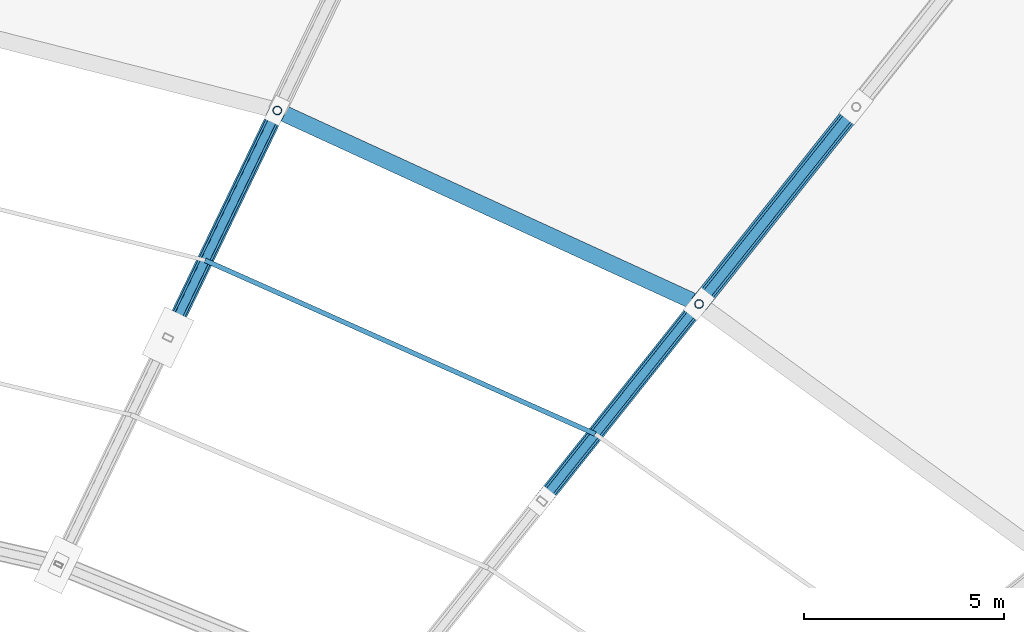
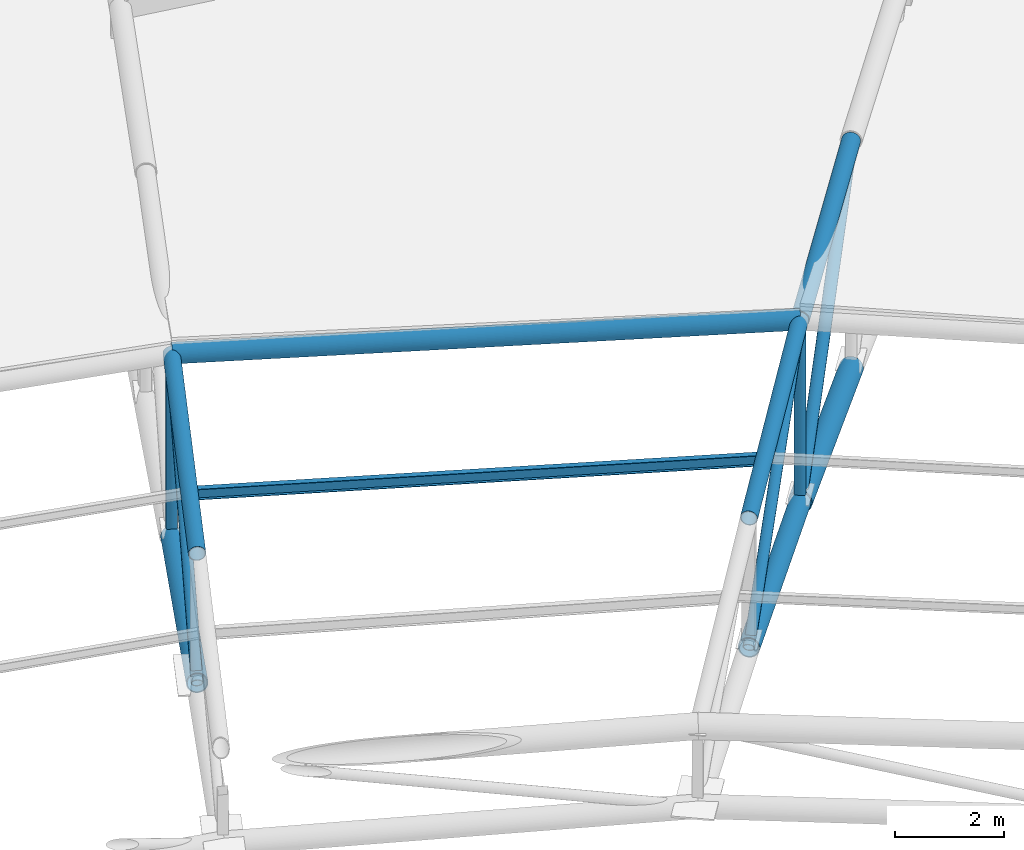
# One storey, part 54 of 108: 13 members.
"""IFC4 building model written with IfcOpenShell, lengths in metres."""

from ifc_helpers import new_model, si_unit, direction, frame, origin, origin_2d, place, context, subcontext, project, spatial, hollow_circle, i_section, extrude, material, material_profile, profile_set, type_object, element, save


model = new_model("IFC4")

# Units and contexts
model_context = context("Model", 3, precision=1e-05, world=origin(), true_north=direction((0.0, 1.0)))
body_context = subcontext(model_context, "Body", "Model", "MODEL_VIEW")
ifc_project = project(units=[si_unit("LENGTHUNIT", "METRE"), si_unit("AREAUNIT", "SQUARE_METRE"), si_unit("VOLUMEUNIT", "CUBIC_METRE"), si_unit("PLANEANGLEUNIT", "RADIAN"), si_unit("MASSUNIT", "GRAM", prefix="KILO")], contexts=[model_context])

# Site, building, storey
site_placement = place(None, origin())
site = spatial("IfcSite", under=ifc_project, at=site_placement, CompositionType="ELEMENT")
building_placement = place(site_placement, origin())
building = spatial("IfcBuilding", under=site, at=building_placement, Name="Zevraka Park Crest Stadium", CompositionType="ELEMENT")
storey_placement = place(building_placement, frame((0.0, 0.0, 29.39990234375)))
storey = spatial("IfcBuildingStorey", under=building, at=storey_placement, Name="RF", CompositionType="ELEMENT", Elevation=29.39990234375)

# Members
ifc_material_1 = material(Name="Steel S355", Category="steel")
ifc_material_profile_1 = material_profile(ifc_material_1, i_section(OverallWidth=0.1201171875, OverallDepth=0.239990234375, WebThickness=0.006103515625, FlangeThickness=0.009765625, at=origin_2d()), Name="IPE 240")
ifc_profile_set_1 = profile_set([ifc_material_profile_1], Name="Steel S355")
member_type_1 = type_object("IfcMemberType", Name="PR01", PredefinedType="PURLIN", material=ifc_profile_set_1)
member_1_placement = place(storey_placement, frame((144.073974609375, 120.490966796875, 9.153076171875), z_axis=(-0.913569046429, 0.406683657658, 0.0), x_axis=(-0.406683657658, -0.913569046429, 0.0)))
element("IfcMember", 1, at=member_1_placement, inside=storey, type_object=member_type_1, Name="Canopy Roof Purlin PR01 INNER-05-1", PredefinedType="PURLIN", context=body_context, shape_type="SweptSolid", body=[
    extrude(i_section(OverallWidth=0.1201171875, OverallDepth=0.239990234375, WebThickness=0.006103515625, FlangeThickness=0.009765625, at=origin_2d()), origin(), (0.0, 0.0, 1.0), 10.6767578125),
])
ifc_material_2 = material(Name="Steel S355", Category="steel")
ifc_material_profile_2 = material_profile(ifc_material_2, hollow_circle(Radius=0.228515625, WallThickness=0.02490234375, at=origin_2d()), Name="CHS 457.0x25")
ifc_profile_set_2 = profile_set([ifc_material_profile_2], Name="Steel S355")
member_type_2 = type_object("IfcMemberType", Name="TC02", PredefinedType="CHORD", material=ifc_profile_set_2)
member_2_placement = place(storey_placement, frame((150.593994140625, 128.66796875, 3.9501953125), z_axis=(-0.609616801218, -0.764512287785, 0.209495387776), x_axis=(0.781862092926, -0.623451415626, 0.0)))
element("IfcMember", 2, at=member_2_placement, inside=storey, type_object=member_type_2, Name="Roof Truss Bottom Chord TC02 T05-5", PredefinedType="CHORD", context=body_context, shape_type="SweptSolid", body=[
    extrude(hollow_circle(Radius=0.228515625, WallThickness=0.02490234375, at=origin_2d()), origin(), (0.0, 0.0, 1.0), 6.443359375),
])
ifc_material_3 = material(Name="Steel S355", Category="steel")
ifc_material_profile_3 = material_profile(ifc_material_3, hollow_circle(Radius=0.203125, WallThickness=0.02001953125, at=origin_2d()), Name="CHS 406.4x20")
ifc_profile_set_3 = profile_set([ifc_material_profile_3], Name="Steel S355")
member_type_3 = type_object("IfcMemberType", Name="TC03", PredefinedType="CHORD", material=ifc_profile_set_3)
member_3_placement = place(storey_placement, frame((146.666015625, 123.741943359375, 5.300048828125), z_axis=(-0.614231681473, -0.770147038993, 0.172026102102), x_axis=(0.781801834506, -0.623526977414, 0.0)))
element("IfcMember", 3, at=member_3_placement, inside=storey, type_object=member_type_3, Name="Roof Truss Bottom Chord TC03 T05-6", PredefinedType="CHORD", context=body_context, shape_type="SweptSolid", body=[
    extrude(hollow_circle(Radius=0.203125, WallThickness=0.02001953125, at=origin_2d()), origin(), (0.0, 0.0, 1.0), 6.39501953125),
])
member_4_placement = place(storey_placement, frame((136.1240234375, 128.5791015625, 5.300048828125), z_axis=(-0.427505766927, -0.887497238618, 0.172010088916), x_axis=(0.900925361812, -0.43397406886, 0.0)))
element("IfcMember", 4, at=member_4_placement, inside=storey, type_object=member_type_3, Name="Roof Truss Bottom Chord TC03 T06-6", PredefinedType="CHORD", context=body_context, shape_type="SweptSolid", body=[
    extrude(hollow_circle(Radius=0.203125, WallThickness=0.02001953125, at=origin_2d()), origin(), (0.0, 0.0, 1.0), 6.3955078125),
])
member_5_placement = place(storey_placement, frame((146.666015625, 123.741943359375, 9.400146484375), z_axis=(-0.908888015597, 0.417040255976, 0.0), x_axis=(-0.417040255976, -0.908888015597, 0.0)))
element("IfcMember", 5, at=member_5_placement, inside=storey, type_object=member_type_3, Name="Roof Canopy Arch Crown Ring Chord TC03 05", PredefinedType="CHORD", context=body_context, shape_type="SweptSolid", body=[
    extrude(hollow_circle(Radius=0.203125, WallThickness=0.02001953125, at=origin_2d()), origin(), (0.0, 0.0, 1.0), 11.598876953125),
])
ifc_material_4 = material(Name="Steel S355", Category="steel")
ifc_material_profile_4 = material_profile(ifc_material_4, hollow_circle(Radius=0.161865234375, WallThickness=0.01611328125, at=origin_2d()), Name="CHS 323.9x16")
ifc_profile_set_4 = profile_set([ifc_material_profile_4], Name="Steel S355")
member_type_4 = type_object("IfcMemberType", Name="TC04", PredefinedType="CHORD", material=ifc_profile_set_4)
member_6_placement = place(storey_placement, frame((146.666015625, 123.741943359375, 9.400146484375), z_axis=(-0.623448279516, -0.781703160089, -0.015887488011), x_axis=(0.781801834506, -0.623526977414, 0.0)))
element("IfcMember", 6, at=member_6_placement, inside=storey, type_object=member_type_4, Name="Roof Truss Top Chord TC04 T05-6", PredefinedType="CHORD", context=body_context, shape_type="SweptSolid", body=[
    extrude(hollow_circle(Radius=0.161865234375, WallThickness=0.01611328125, at=origin_2d()), origin(), (0.0, 0.0, 1.0), 6.30029296875),
])
member_7_placement = place(storey_placement, frame((136.1240234375, 128.5791015625, 9.400146484375), z_axis=(-0.433919305719, -0.900811674136, -0.015885964403), x_axis=(0.900925361812, -0.43397406886, 0.0)))
element("IfcMember", 7, at=member_7_placement, inside=storey, type_object=member_type_4, Name="Roof Truss Top Chord TC04 T06-6", PredefinedType="CHORD", context=body_context, shape_type="SweptSolid", body=[
    extrude(hollow_circle(Radius=0.161865234375, WallThickness=0.01611328125, at=origin_2d()), origin(), (0.0, 0.0, 1.0), 6.301025390625),
])
ifc_material_5 = material(Name="Steel S355", Category="steel")
ifc_material_profile_5 = material_profile(ifc_material_5, hollow_circle(Radius=0.177734375, WallThickness=0.01611328125, at=origin_2d()), Name="CHS 355.6x16")
ifc_profile_set_5 = profile_set([ifc_material_profile_5], Name="Steel S355")
member_type_5 = type_object("IfcMemberType", Name="TC05", PredefinedType="CHORD", material=ifc_profile_set_5)
member_8_placement = place(storey_placement, frame((150.593994140625, 128.66796875, 9.050048828125), z_axis=(-0.622491100613, -0.780657774695, 0.055482145458), x_axis=(0.781862092926, -0.623451415626, 0.0)))
element("IfcMember", 8, at=member_8_placement, inside=storey, type_object=member_type_5, Name="Roof Truss Top Chord TC05 T05-5", PredefinedType="CHORD", context=body_context, shape_type="SweptSolid", body=[
    extrude(hollow_circle(Radius=0.177734375, WallThickness=0.01611328125, at=origin_2d()), origin(), (0.0, 0.0, 1.0), 6.31005859375),
])
ifc_material_6 = material(Name="Steel S355", Category="steel")
ifc_material_profile_6 = material_profile(ifc_material_6, hollow_circle(Radius=0.109619140625, WallThickness=0.010009765625, at=origin_2d()), Name="CHS 219.1x10")
ifc_profile_set_6 = profile_set([ifc_material_profile_6], Name="Steel S355")
member_type_6 = type_object("IfcMemberType", Name="WB02", PredefinedType="BRACE", material=ifc_profile_set_6)
member_9_placement = place(storey_placement, frame((146.666015625, 123.741943359375, 5.300048828125), z_axis=(0.0, 0.0, 1.0), x_axis=(0.623470308046, 0.781847027868, 0.0)))
element("IfcMember", 9, at=member_9_placement, inside=storey, type_object=member_type_6, Name="Roof Truss Web Post WB02 T05-5", PredefinedType="BRACE", context=body_context, shape_type="SweptSolid", body=[
    extrude(hollow_circle(Radius=0.109619140625, WallThickness=0.010009765625, at=origin_2d()), origin(), (0.0, 0.0, 1.0), 4.10009765625),
])
member_10_placement = place(storey_placement, frame((142.738037109375, 118.81689453125, 6.400146484375), z_axis=(0.562951494034, 0.705849990002, 0.429955122052), x_axis=(-0.781801834506, 0.623526977414, 0.0)))
element("IfcMember", 10, at=member_10_placement, inside=storey, type_object=member_type_6, Name="Roof Truss Web Diagonal WB02 T05-6", PredefinedType="BRACE", context=body_context, shape_type="SweptSolid", body=[
    extrude(hollow_circle(Radius=0.109619140625, WallThickness=0.010009765625, at=origin_2d()), origin(), (0.0, 0.0, 1.0), 6.9775390625),
])
member_11_placement = place(storey_placement, frame((136.1240234375, 128.5791015625, 5.300048828125), z_axis=(0.0, 0.0, 1.0), x_axis=(0.43381634559, 0.90100131981, 0.0)))
element("IfcMember", 11, at=member_11_placement, inside=storey, type_object=member_type_6, Name="Roof Truss Web Post WB02 T06-5", PredefinedType="BRACE", context=body_context, shape_type="SweptSolid", body=[
    extrude(hollow_circle(Radius=0.109619140625, WallThickness=0.010009765625, at=origin_2d()), origin(), (0.0, 0.0, 1.0), 4.10009765625),
])
member_12_placement = place(storey_placement, frame((133.389892578125, 122.903076171875, 6.400146484375), z_axis=(0.391820548902, 0.813415121121, 0.429921502358), x_axis=(-0.900925361812, 0.43397406886, 0.0)))
element("IfcMember", 12, at=member_12_placement, inside=storey, type_object=member_type_6, Name="Roof Truss Web Diagonal WB02 T06-6", PredefinedType="BRACE", context=body_context, shape_type="SweptSolid", body=[
    extrude(hollow_circle(Radius=0.109619140625, WallThickness=0.010009765625, at=origin_2d()), origin(), (0.0, 0.0, 1.0), 6.97802734375),
])
ifc_material_7 = material(Name="Steel S355", Category="steel")
ifc_material_profile_7 = material_profile(ifc_material_7, hollow_circle(Radius=0.122314453125, WallThickness=0.012451171875, at=origin_2d()), Name="CHS 244.5x12.5")
ifc_profile_set_7 = profile_set([ifc_material_profile_7], Name="Steel S355")
member_type_7 = type_object("IfcMemberType", Name="WB07", PredefinedType="BRACE", material=ifc_profile_set_7)
member_13_placement = place(storey_placement, frame((146.666015625, 123.741943359375, 5.300048828125), z_axis=(0.535735735861, 0.671859030547, 0.511461302929), x_axis=(-0.781862092926, 0.623451415626, 0.0)))
element("IfcMember", 13, at=member_13_placement, inside=storey, type_object=member_type_7, Name="Roof Truss Web Diagonal WB07 T05-5", PredefinedType="BRACE", context=body_context, shape_type="SweptSolid", body=[
    extrude(hollow_circle(Radius=0.122314453125, WallThickness=0.012451171875, at=origin_2d()), origin(), (0.0, 0.0, 1.0), 7.33203125),
])

save(model, "model.ifc")
